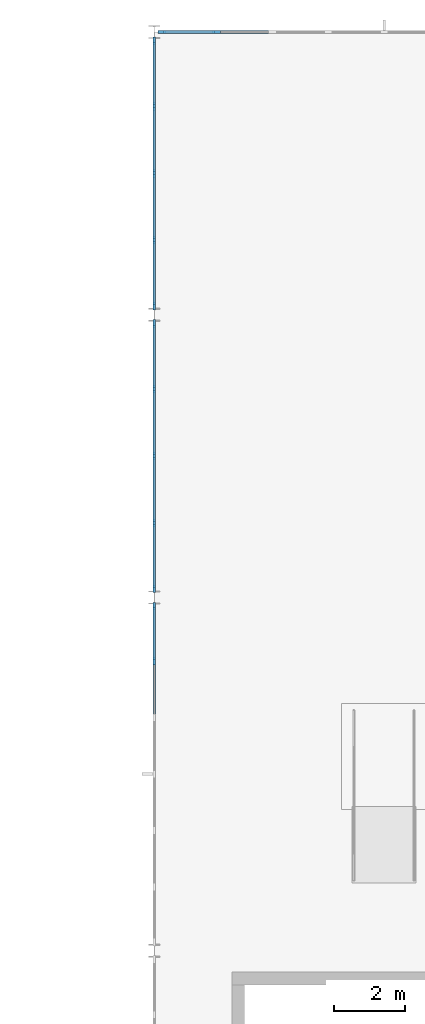
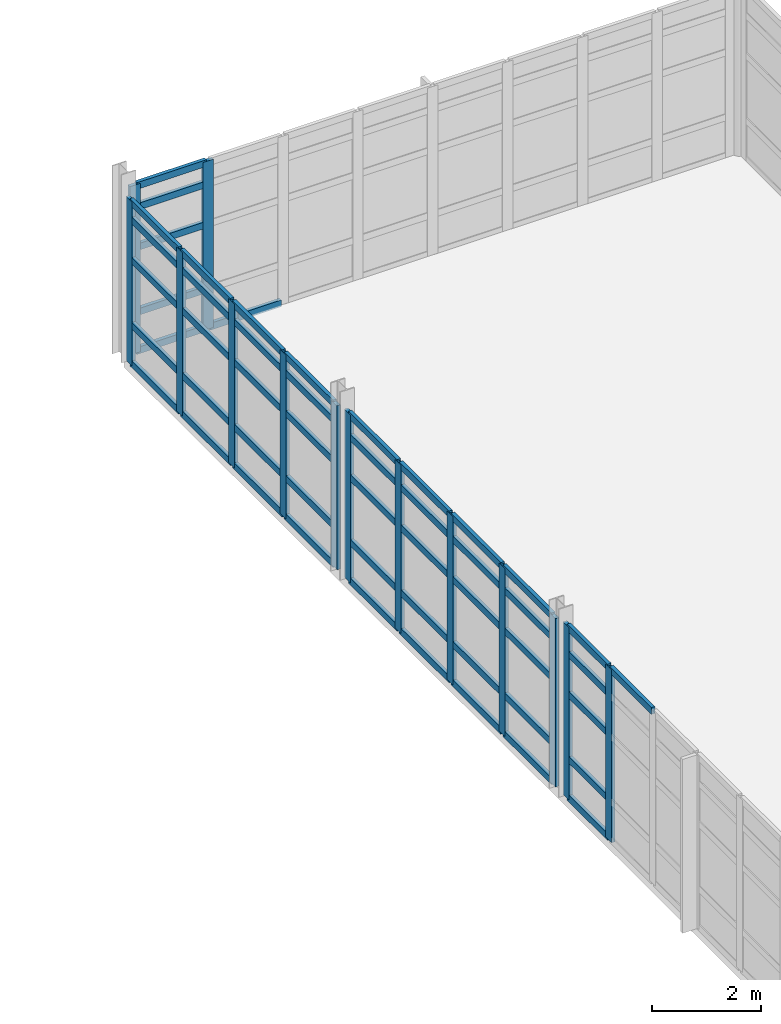
# One storey, part 57 of 122: 66 members, 4 elements without a shape of their own.
"""IFC4 building model written with IfcOpenShell, lengths in metres."""

from ifc_helpers import new_model, si_unit, direction, frame, origin, origin_2d, place, context, subcontext, project, spatial, rectangle, extrude, material, layer, layer_set, material_profile, profile_set, type_object, element, aggregate, save


model = new_model("IFC4")

# Units and contexts
model_context = context("Model", 3, precision=1e-05, world=origin(), true_north=direction((0.0, 1.0)))
body_context = subcontext(model_context, "Body", "Model", "MODEL_VIEW")
ifc_project = project(units=[si_unit("LENGTHUNIT", "METRE"), si_unit("AREAUNIT", "SQUARE_METRE"), si_unit("VOLUMEUNIT", "CUBIC_METRE"), si_unit("PLANEANGLEUNIT", "RADIAN"), si_unit("MASSUNIT", "GRAM", prefix="KILO"), si_unit("THERMODYNAMICTEMPERATUREUNIT", "KELVIN"), si_unit("POWERUNIT", "WATT")], contexts=[model_context])

# Site, building, storey
site_placement = place(None, origin())
site = spatial("IfcSite", under=ifc_project, at=site_placement, CompositionType="ELEMENT")
building_placement = place(site_placement, origin())
building = spatial("IfcBuilding", under=site, at=building_placement, Name="Korenveer Ferry Terminal", CompositionType="ELEMENT")
storey_placement = place(building_placement, frame((0.0, 0.0, 10.199951171875)))
storey = spatial("IfcBuildingStorey", under=building, at=storey_placement, Name="L02", CompositionType="ELEMENT", Elevation=10.199951171875)

# Curtain wall, members
ifc_material_1 = material(Name="Unitised bronze-and-glass curtain wall", Category="glass")
ifc_layer_1 = layer(ifc_material_1, 0.219970703125)
ifc_layer_set_1 = layer_set([ifc_layer_1], Name="Unitised bronze-and-glass curtain wall")
curtain_wall_type_1 = type_object("IfcCurtainWallType", Name="ENV-CW-103", PredefinedType="USERDEFINED", material=ifc_layer_set_1)
curtain_wall_1_placement = place(storey_placement, frame((123.179931640625, 116.0, 0.0)))
curtain_wall_1 = element("IfcCurtainWall", 1, at=curtain_wall_1_placement, inside=storey, type_object=curtain_wall_type_1, Name="Lancet curtain wall CWX-L02-X123-136-Y116-116", ObjectType="UNITISED CURTAIN WALL", PredefinedType="USERDEFINED")
ifc_material_2 = material(Name="Anodised bronze aluminium", Category="aluminium")
ifc_material_profile_1 = material_profile(ifc_material_2, rectangle(XDim=0.074951171875, YDim=0.219970703125, at=origin_2d()), Name="ALU 75x220")
ifc_profile_set_1 = profile_set([ifc_material_profile_1], Name="Anodised bronze aluminium")
member_type_1 = type_object("IfcMemberType", Name="ENV-CWM-75X220", PredefinedType="MULLION", material=ifc_profile_set_1)
member_1_placement = place(storey_placement, frame((123.217529296875, 116.0, 0.0), z_axis=(0.0, 0.0, 1.0), x_axis=(0.0, 1.0, 0.0)))
member_1 = element("IfcMember", 2, at=member_1_placement, type_object=member_type_1, Name="CW-103 mullion 1", PredefinedType="MULLION", context=body_context, shape_type="SweptSolid", body=[
    extrude(rectangle(XDim=0.074951171875, YDim=0.219970703125, at=origin_2d()), origin(), (0.0, 0.0, 1.0), 3.760009765625),
])
member_2_placement = place(storey_placement, frame((124.76171875, 116.0, 0.0), z_axis=(0.0, 0.0, 1.0), x_axis=(0.0, 1.0, 0.0)))
member_2 = element("IfcMember", 3, at=member_2_placement, type_object=member_type_1, Name="CW-103 mullion 2", PredefinedType="MULLION", context=body_context, shape_type="SweptSolid", body=[
    extrude(rectangle(XDim=0.074951171875, YDim=0.219970703125, at=origin_2d()), origin(), (0.0, 0.0, 1.0), 3.760009765625),
])

ifc_layer_2 = layer(ifc_material_1, 0.219970703125)
ifc_layer_set_2 = layer_set([ifc_layer_2], Name="Unitised bronze-and-glass curtain wall")
curtain_wall_type_2 = type_object("IfcCurtainWallType", Name="ENV-CW-120", PredefinedType="USERDEFINED", material=ifc_layer_set_2)
curtain_wall_2_placement = place(storey_placement, frame((123.0, 90.2099609375, 0.0)))
curtain_wall_2 = element("IfcCurtainWall", 4, at=curtain_wall_2_placement, inside=storey, type_object=curtain_wall_type_2, Name="Lancet curtain wall CWX-L02-X123-123-Y90-100", ObjectType="UNITISED CURTAIN WALL", PredefinedType="USERDEFINED")
member_3_placement = place(storey_placement, frame((123.0, 98.193359375, 0.0), z_axis=(0.0, 0.0, 1.0), x_axis=(-1.0, 0.0, 0.0)))
member_3 = element("IfcMember", 5, at=member_3_placement, type_object=member_type_1, Name="CW-120 mullion 6", PredefinedType="MULLION", context=body_context, shape_type="SweptSolid", body=[
    extrude(rectangle(XDim=0.074951171875, YDim=0.219970703125, at=origin_2d()), origin(), (0.0, 0.0, 1.0), 3.860107421875),
])
member_4_placement = place(storey_placement, frame((123.0, 99.75244140625, 0.0), z_axis=(0.0, 0.0, 1.0), x_axis=(-1.0, 0.0, 0.0)))
member_4 = element("IfcMember", 6, at=member_4_placement, type_object=member_type_1, Name="CW-120 mullion 7", PredefinedType="MULLION", context=body_context, shape_type="SweptSolid", body=[
    extrude(rectangle(XDim=0.074951171875, YDim=0.219970703125, at=origin_2d()), origin(), (0.0, 0.0, 1.0), 3.860107421875),
])

ifc_layer_3 = layer(ifc_material_1, 0.219970703125)
ifc_layer_set_3 = layer_set([ifc_layer_3], Name="Unitised bronze-and-glass curtain wall")
curtain_wall_type_3 = type_object("IfcCurtainWallType", Name="ENV-CW-119", PredefinedType="USERDEFINED", material=ifc_layer_set_3)
curtain_wall_3_placement = place(storey_placement, frame((123.0, 100.2099609375, 0.0)))
curtain_wall_3 = element("IfcCurtainWall", 7, at=curtain_wall_3_placement, inside=storey, type_object=curtain_wall_type_3, Name="Lancet curtain wall CWX-L02-X123-123-Y100-108", ObjectType="UNITISED CURTAIN WALL", PredefinedType="USERDEFINED")
member_5_placement = place(storey_placement, frame((123.0, 100.24755859375, 0.0), z_axis=(0.0, 0.0, 1.0), x_axis=(-1.0, 0.0, 0.0)))
member_5 = element("IfcMember", 8, at=member_5_placement, type_object=member_type_1, Name="CW-119 mullion 1", PredefinedType="MULLION", context=body_context, shape_type="SweptSolid", body=[
    extrude(rectangle(XDim=0.074951171875, YDim=0.219970703125, at=origin_2d()), origin(), (0.0, 0.0, 1.0), 3.760009765625),
])
member_6_placement = place(storey_placement, frame((123.0, 102.10498046875, 0.0), z_axis=(0.0, 0.0, 1.0), x_axis=(-1.0, 0.0, 0.0)))
member_6 = element("IfcMember", 9, at=member_6_placement, type_object=member_type_1, Name="CW-119 mullion 2", PredefinedType="MULLION", context=body_context, shape_type="SweptSolid", body=[
    extrude(rectangle(XDim=0.074951171875, YDim=0.219970703125, at=origin_2d()), origin(), (0.0, 0.0, 1.0), 3.760009765625),
])
member_7_placement = place(storey_placement, frame((123.0, 104.0, 0.0), z_axis=(0.0, 0.0, 1.0), x_axis=(-1.0, 0.0, 0.0)))
member_7 = element("IfcMember", 10, at=member_7_placement, type_object=member_type_1, Name="CW-119 mullion 3", PredefinedType="MULLION", context=body_context, shape_type="SweptSolid", body=[
    extrude(rectangle(XDim=0.074951171875, YDim=0.219970703125, at=origin_2d()), origin(), (0.0, 0.0, 1.0), 3.760009765625),
])
member_8_placement = place(storey_placement, frame((123.0, 105.89501953125, 0.0), z_axis=(0.0, 0.0, 1.0), x_axis=(-1.0, 0.0, 0.0)))
member_8 = element("IfcMember", 11, at=member_8_placement, type_object=member_type_1, Name="CW-119 mullion 4", PredefinedType="MULLION", context=body_context, shape_type="SweptSolid", body=[
    extrude(rectangle(XDim=0.074951171875, YDim=0.219970703125, at=origin_2d()), origin(), (0.0, 0.0, 1.0), 3.760009765625),
])
member_9_placement = place(storey_placement, frame((123.0, 107.75244140625, 0.0), z_axis=(0.0, 0.0, 1.0), x_axis=(-1.0, 0.0, 0.0)))
member_9 = element("IfcMember", 12, at=member_9_placement, type_object=member_type_1, Name="CW-119 mullion 5", PredefinedType="MULLION", context=body_context, shape_type="SweptSolid", body=[
    extrude(rectangle(XDim=0.074951171875, YDim=0.219970703125, at=origin_2d()), origin(), (0.0, 0.0, 1.0), 3.760009765625),
])

ifc_layer_4 = layer(ifc_material_1, 0.219970703125)
ifc_layer_set_4 = layer_set([ifc_layer_4], Name="Unitised bronze-and-glass curtain wall")
curtain_wall_type_4 = type_object("IfcCurtainWallType", Name="ENV-CW-122", PredefinedType="USERDEFINED", material=ifc_layer_set_4)
curtain_wall_4_placement = place(storey_placement, frame((123.0, 108.2099609375, 0.0)))
curtain_wall_4 = element("IfcCurtainWall", 13, at=curtain_wall_4_placement, inside=storey, type_object=curtain_wall_type_4, Name="Lancet curtain wall CWX-L02-X123-123-Y108-116", ObjectType="UNITISED CURTAIN WALL", PredefinedType="USERDEFINED")
member_10_placement = place(storey_placement, frame((123.0, 108.24755859375, 0.0), z_axis=(0.0, 0.0, 1.0), x_axis=(-1.0, 0.0, 0.0)))
member_10 = element("IfcMember", 14, at=member_10_placement, type_object=member_type_1, Name="CW-122 mullion 1", PredefinedType="MULLION", context=body_context, shape_type="SweptSolid", body=[
    extrude(rectangle(XDim=0.074951171875, YDim=0.219970703125, at=origin_2d()), origin(), (0.0, 0.0, 1.0), 3.66015625),
])
member_11_placement = place(storey_placement, frame((123.0, 110.10498046875, 0.0), z_axis=(0.0, 0.0, 1.0), x_axis=(-1.0, 0.0, 0.0)))
member_11 = element("IfcMember", 15, at=member_11_placement, type_object=member_type_1, Name="CW-122 mullion 2", PredefinedType="MULLION", context=body_context, shape_type="SweptSolid", body=[
    extrude(rectangle(XDim=0.074951171875, YDim=0.219970703125, at=origin_2d()), origin(), (0.0, 0.0, 1.0), 3.66015625),
])
member_12_placement = place(storey_placement, frame((123.0, 112.0, 0.0), z_axis=(0.0, 0.0, 1.0), x_axis=(-1.0, 0.0, 0.0)))
member_12 = element("IfcMember", 16, at=member_12_placement, type_object=member_type_1, Name="CW-122 mullion 3", PredefinedType="MULLION", context=body_context, shape_type="SweptSolid", body=[
    extrude(rectangle(XDim=0.074951171875, YDim=0.219970703125, at=origin_2d()), origin(), (0.0, 0.0, 1.0), 3.66015625),
])
member_13_placement = place(storey_placement, frame((123.0, 113.89501953125, 0.0), z_axis=(0.0, 0.0, 1.0), x_axis=(-1.0, 0.0, 0.0)))
member_13 = element("IfcMember", 17, at=member_13_placement, type_object=member_type_1, Name="CW-122 mullion 4", PredefinedType="MULLION", context=body_context, shape_type="SweptSolid", body=[
    extrude(rectangle(XDim=0.074951171875, YDim=0.219970703125, at=origin_2d()), origin(), (0.0, 0.0, 1.0), 3.66015625),
])
member_14_placement = place(storey_placement, frame((123.0, 115.75244140625, 0.0), z_axis=(0.0, 0.0, 1.0), x_axis=(-1.0, 0.0, 0.0)))
member_14 = element("IfcMember", 18, at=member_14_placement, type_object=member_type_1, Name="CW-122 mullion 5", PredefinedType="MULLION", context=body_context, shape_type="SweptSolid", body=[
    extrude(rectangle(XDim=0.074951171875, YDim=0.219970703125, at=origin_2d()), origin(), (0.0, 0.0, 1.0), 3.66015625),
])

# Member
ifc_material_profile_2 = material_profile(ifc_material_2, rectangle(XDim=0.074951171875, YDim=0.14990234375, at=origin_2d()), Name="ALU 75x150")
ifc_profile_set_2 = profile_set([ifc_material_profile_2], Name="Anodised bronze aluminium")
member_type_2 = type_object("IfcMemberType", Name="ENV-CWT-75X150", PredefinedType="USERDEFINED", material=ifc_profile_set_2)
member_15_placement = place(storey_placement, frame((123.2548828125, 116.0, 0.03759765625), z_axis=(1.0, 0.0, 0.0), x_axis=(0.0, 1.0, 0.0)))
member_15 = element("IfcMember", 19, at=member_15_placement, type_object=member_type_2, Name="CW-103 transom 1.1", ObjectType="TRANSOM", PredefinedType="USERDEFINED", context=body_context, shape_type="SweptSolid", body=[
    extrude(rectangle(XDim=0.074951171875, YDim=0.14990234375, at=origin_2d()), origin(), (0.0, 0.0, 1.0), 1.46923828125),
])

member_16_placement = place(storey_placement, frame((123.2548828125, 116.0, 0.900146484375), z_axis=(1.0, 0.0, 0.0), x_axis=(0.0, 1.0, 0.0)))
member_16 = element("IfcMember", 20, at=member_16_placement, type_object=member_type_2, Name="CW-103 transom 1.2", ObjectType="TRANSOM", PredefinedType="USERDEFINED", context=body_context, shape_type="SweptSolid", body=[
    extrude(rectangle(XDim=0.074951171875, YDim=0.14990234375, at=origin_2d()), origin(), (0.0, 0.0, 1.0), 1.46923828125),
])

member_17_placement = place(storey_placement, frame((123.2548828125, 116.0, 2.35009765625), z_axis=(1.0, 0.0, 0.0), x_axis=(0.0, 1.0, 0.0)))
member_17 = element("IfcMember", 21, at=member_17_placement, type_object=member_type_2, Name="CW-103 transom 1.3", ObjectType="TRANSOM", PredefinedType="USERDEFINED", context=body_context, shape_type="SweptSolid", body=[
    extrude(rectangle(XDim=0.074951171875, YDim=0.14990234375, at=origin_2d()), origin(), (0.0, 0.0, 1.0), 1.46923828125),
])

member_18_placement = place(storey_placement, frame((123.2548828125, 116.0, 3.25), z_axis=(1.0, 0.0, 0.0), x_axis=(0.0, 1.0, 0.0)))
member_18 = element("IfcMember", 22, at=member_18_placement, type_object=member_type_2, Name="CW-103 transom 1.4", ObjectType="TRANSOM", PredefinedType="USERDEFINED", context=body_context, shape_type="SweptSolid", body=[
    extrude(rectangle(XDim=0.074951171875, YDim=0.14990234375, at=origin_2d()), origin(), (0.0, 0.0, 1.0), 1.46923828125),
])

member_19_placement = place(storey_placement, frame((123.2548828125, 116.0, 3.72265625), z_axis=(1.0, 0.0, 0.0), x_axis=(0.0, 1.0, 0.0)))
member_19 = element("IfcMember", 23, at=member_19_placement, type_object=member_type_2, Name="CW-103 transom 1.5", ObjectType="TRANSOM", PredefinedType="USERDEFINED", context=body_context, shape_type="SweptSolid", body=[
    extrude(rectangle(XDim=0.074951171875, YDim=0.14990234375, at=origin_2d()), origin(), (0.0, 0.0, 1.0), 1.46923828125),
])

member_20_placement = place(storey_placement, frame((124.799072265625, 116.0, 0.03759765625), z_axis=(1.0, 0.0, 0.0), x_axis=(0.0, 1.0, 0.0)))
member_20 = element("IfcMember", 24, at=member_20_placement, type_object=member_type_2, Name="CW-103 transom 2.1", ObjectType="TRANSOM", PredefinedType="USERDEFINED", context=body_context, shape_type="SweptSolid", body=[
    extrude(rectangle(XDim=0.074951171875, YDim=0.14990234375, at=origin_2d()), origin(), (0.0, 0.0, 1.0), 1.5068359375),
])

aggregate(curtain_wall_1, [member_1, member_2, member_15, member_16, member_17, member_18, member_19, member_20])

member_21_placement = place(storey_placement, frame((123.0, 96.63427734375, 3.822509765625), z_axis=(0.0, 1.0, 0.0), x_axis=(-1.0, 0.0, 0.0)))
member_21 = element("IfcMember", 25, at=member_21_placement, type_object=member_type_2, Name="CW-120 transom 5.5", ObjectType="TRANSOM", PredefinedType="USERDEFINED", context=body_context, shape_type="SweptSolid", body=[
    extrude(rectangle(XDim=0.074951171875, YDim=0.14990234375, at=origin_2d()), origin(), (0.0, 0.0, 1.0), 1.521484375),
])

member_22_placement = place(storey_placement, frame((123.0, 98.230712890625, 0.03759765625), z_axis=(0.0, 1.0, 0.0), x_axis=(-1.0, 0.0, 0.0)))
member_22 = element("IfcMember", 26, at=member_22_placement, type_object=member_type_2, Name="CW-120 transom 6.1", ObjectType="TRANSOM", PredefinedType="USERDEFINED", context=body_context, shape_type="SweptSolid", body=[
    extrude(rectangle(XDim=0.074951171875, YDim=0.14990234375, at=origin_2d()), origin(), (0.0, 0.0, 1.0), 1.484375),
])

member_23_placement = place(storey_placement, frame((123.0, 98.230712890625, 0.900146484375), z_axis=(0.0, 1.0, 0.0), x_axis=(-1.0, 0.0, 0.0)))
member_23 = element("IfcMember", 27, at=member_23_placement, type_object=member_type_2, Name="CW-120 transom 6.2", ObjectType="TRANSOM", PredefinedType="USERDEFINED", context=body_context, shape_type="SweptSolid", body=[
    extrude(rectangle(XDim=0.074951171875, YDim=0.14990234375, at=origin_2d()), origin(), (0.0, 0.0, 1.0), 1.484375),
])

member_24_placement = place(storey_placement, frame((123.0, 98.230712890625, 2.35009765625), z_axis=(0.0, 1.0, 0.0), x_axis=(-1.0, 0.0, 0.0)))
member_24 = element("IfcMember", 28, at=member_24_placement, type_object=member_type_2, Name="CW-120 transom 6.3", ObjectType="TRANSOM", PredefinedType="USERDEFINED", context=body_context, shape_type="SweptSolid", body=[
    extrude(rectangle(XDim=0.074951171875, YDim=0.14990234375, at=origin_2d()), origin(), (0.0, 0.0, 1.0), 1.484375),
])

member_25_placement = place(storey_placement, frame((123.0, 98.230712890625, 3.25), z_axis=(0.0, 1.0, 0.0), x_axis=(-1.0, 0.0, 0.0)))
member_25 = element("IfcMember", 29, at=member_25_placement, type_object=member_type_2, Name="CW-120 transom 6.4", ObjectType="TRANSOM", PredefinedType="USERDEFINED", context=body_context, shape_type="SweptSolid", body=[
    extrude(rectangle(XDim=0.074951171875, YDim=0.14990234375, at=origin_2d()), origin(), (0.0, 0.0, 1.0), 1.484375),
])

member_26_placement = place(storey_placement, frame((123.0, 98.230712890625, 3.822509765625), z_axis=(0.0, 1.0, 0.0), x_axis=(-1.0, 0.0, 0.0)))
member_26 = element("IfcMember", 30, at=member_26_placement, type_object=member_type_2, Name="CW-120 transom 6.5", ObjectType="TRANSOM", PredefinedType="USERDEFINED", context=body_context, shape_type="SweptSolid", body=[
    extrude(rectangle(XDim=0.074951171875, YDim=0.14990234375, at=origin_2d()), origin(), (0.0, 0.0, 1.0), 1.484375),
])

aggregate(curtain_wall_2, [member_3, member_4, member_21, member_22, member_23, member_24, member_25, member_26])

member_27_placement = place(storey_placement, frame((123.0, 100.284912109375, 0.03759765625), z_axis=(0.0, 1.0, 0.0), x_axis=(-1.0, 0.0, 0.0)))
member_27 = element("IfcMember", 31, at=member_27_placement, type_object=member_type_2, Name="CW-119 transom 1.1", ObjectType="TRANSOM", PredefinedType="USERDEFINED", context=body_context, shape_type="SweptSolid", body=[
    extrude(rectangle(XDim=0.074951171875, YDim=0.14990234375, at=origin_2d()), origin(), (0.0, 0.0, 1.0), 1.782470703125),
])

member_28_placement = place(storey_placement, frame((123.0, 100.284912109375, 0.900146484375), z_axis=(0.0, 1.0, 0.0), x_axis=(-1.0, 0.0, 0.0)))
member_28 = element("IfcMember", 32, at=member_28_placement, type_object=member_type_2, Name="CW-119 transom 1.2", ObjectType="TRANSOM", PredefinedType="USERDEFINED", context=body_context, shape_type="SweptSolid", body=[
    extrude(rectangle(XDim=0.074951171875, YDim=0.14990234375, at=origin_2d()), origin(), (0.0, 0.0, 1.0), 1.782470703125),
])

member_29_placement = place(storey_placement, frame((123.0, 100.284912109375, 2.35009765625), z_axis=(0.0, 1.0, 0.0), x_axis=(-1.0, 0.0, 0.0)))
member_29 = element("IfcMember", 33, at=member_29_placement, type_object=member_type_2, Name="CW-119 transom 1.3", ObjectType="TRANSOM", PredefinedType="USERDEFINED", context=body_context, shape_type="SweptSolid", body=[
    extrude(rectangle(XDim=0.074951171875, YDim=0.14990234375, at=origin_2d()), origin(), (0.0, 0.0, 1.0), 1.782470703125),
])

member_30_placement = place(storey_placement, frame((123.0, 100.284912109375, 3.25), z_axis=(0.0, 1.0, 0.0), x_axis=(-1.0, 0.0, 0.0)))
member_30 = element("IfcMember", 34, at=member_30_placement, type_object=member_type_2, Name="CW-119 transom 1.4", ObjectType="TRANSOM", PredefinedType="USERDEFINED", context=body_context, shape_type="SweptSolid", body=[
    extrude(rectangle(XDim=0.074951171875, YDim=0.14990234375, at=origin_2d()), origin(), (0.0, 0.0, 1.0), 1.782470703125),
])

member_31_placement = place(storey_placement, frame((123.0, 100.284912109375, 3.72265625), z_axis=(0.0, 1.0, 0.0), x_axis=(-1.0, 0.0, 0.0)))
member_31 = element("IfcMember", 35, at=member_31_placement, type_object=member_type_2, Name="CW-119 transom 1.5", ObjectType="TRANSOM", PredefinedType="USERDEFINED", context=body_context, shape_type="SweptSolid", body=[
    extrude(rectangle(XDim=0.074951171875, YDim=0.14990234375, at=origin_2d()), origin(), (0.0, 0.0, 1.0), 1.782470703125),
])

member_32_placement = place(storey_placement, frame((123.0, 102.142578125, 0.03759765625), z_axis=(0.0, 1.0, 0.0), x_axis=(-1.0, 0.0, 0.0)))
member_32 = element("IfcMember", 36, at=member_32_placement, type_object=member_type_2, Name="CW-119 transom 2.1", ObjectType="TRANSOM", PredefinedType="USERDEFINED", context=body_context, shape_type="SweptSolid", body=[
    extrude(rectangle(XDim=0.074951171875, YDim=0.14990234375, at=origin_2d()), origin(), (0.0, 0.0, 1.0), 1.81982421875),
])

member_33_placement = place(storey_placement, frame((123.0, 102.142578125, 0.900146484375), z_axis=(0.0, 1.0, 0.0), x_axis=(-1.0, 0.0, 0.0)))
member_33 = element("IfcMember", 37, at=member_33_placement, type_object=member_type_2, Name="CW-119 transom 2.2", ObjectType="TRANSOM", PredefinedType="USERDEFINED", context=body_context, shape_type="SweptSolid", body=[
    extrude(rectangle(XDim=0.074951171875, YDim=0.14990234375, at=origin_2d()), origin(), (0.0, 0.0, 1.0), 1.81982421875),
])

member_34_placement = place(storey_placement, frame((123.0, 102.142578125, 2.35009765625), z_axis=(0.0, 1.0, 0.0), x_axis=(-1.0, 0.0, 0.0)))
member_34 = element("IfcMember", 38, at=member_34_placement, type_object=member_type_2, Name="CW-119 transom 2.3", ObjectType="TRANSOM", PredefinedType="USERDEFINED", context=body_context, shape_type="SweptSolid", body=[
    extrude(rectangle(XDim=0.074951171875, YDim=0.14990234375, at=origin_2d()), origin(), (0.0, 0.0, 1.0), 1.81982421875),
])

member_35_placement = place(storey_placement, frame((123.0, 102.142578125, 3.25), z_axis=(0.0, 1.0, 0.0), x_axis=(-1.0, 0.0, 0.0)))
member_35 = element("IfcMember", 39, at=member_35_placement, type_object=member_type_2, Name="CW-119 transom 2.4", ObjectType="TRANSOM", PredefinedType="USERDEFINED", context=body_context, shape_type="SweptSolid", body=[
    extrude(rectangle(XDim=0.074951171875, YDim=0.14990234375, at=origin_2d()), origin(), (0.0, 0.0, 1.0), 1.81982421875),
])

member_36_placement = place(storey_placement, frame((123.0, 102.142578125, 3.72265625), z_axis=(0.0, 1.0, 0.0), x_axis=(-1.0, 0.0, 0.0)))
member_36 = element("IfcMember", 40, at=member_36_placement, type_object=member_type_2, Name="CW-119 transom 2.5", ObjectType="TRANSOM", PredefinedType="USERDEFINED", context=body_context, shape_type="SweptSolid", body=[
    extrude(rectangle(XDim=0.074951171875, YDim=0.14990234375, at=origin_2d()), origin(), (0.0, 0.0, 1.0), 1.81982421875),
])

member_37_placement = place(storey_placement, frame((123.0, 104.03759765625, 0.03759765625), z_axis=(0.0, 1.0, 0.0), x_axis=(-1.0, 0.0, 0.0)))
member_37 = element("IfcMember", 41, at=member_37_placement, type_object=member_type_2, Name="CW-119 transom 3.1", ObjectType="TRANSOM", PredefinedType="USERDEFINED", context=body_context, shape_type="SweptSolid", body=[
    extrude(rectangle(XDim=0.074951171875, YDim=0.14990234375, at=origin_2d()), origin(), (0.0, 0.0, 1.0), 1.81982421875),
])

member_38_placement = place(storey_placement, frame((123.0, 104.03759765625, 0.900146484375), z_axis=(0.0, 1.0, 0.0), x_axis=(-1.0, 0.0, 0.0)))
member_38 = element("IfcMember", 42, at=member_38_placement, type_object=member_type_2, Name="CW-119 transom 3.2", ObjectType="TRANSOM", PredefinedType="USERDEFINED", context=body_context, shape_type="SweptSolid", body=[
    extrude(rectangle(XDim=0.074951171875, YDim=0.14990234375, at=origin_2d()), origin(), (0.0, 0.0, 1.0), 1.81982421875),
])

member_39_placement = place(storey_placement, frame((123.0, 104.03759765625, 2.35009765625), z_axis=(0.0, 1.0, 0.0), x_axis=(-1.0, 0.0, 0.0)))
member_39 = element("IfcMember", 43, at=member_39_placement, type_object=member_type_2, Name="CW-119 transom 3.3", ObjectType="TRANSOM", PredefinedType="USERDEFINED", context=body_context, shape_type="SweptSolid", body=[
    extrude(rectangle(XDim=0.074951171875, YDim=0.14990234375, at=origin_2d()), origin(), (0.0, 0.0, 1.0), 1.81982421875),
])

member_40_placement = place(storey_placement, frame((123.0, 104.03759765625, 3.25), z_axis=(0.0, 1.0, 0.0), x_axis=(-1.0, 0.0, 0.0)))
member_40 = element("IfcMember", 44, at=member_40_placement, type_object=member_type_2, Name="CW-119 transom 3.4", ObjectType="TRANSOM", PredefinedType="USERDEFINED", context=body_context, shape_type="SweptSolid", body=[
    extrude(rectangle(XDim=0.074951171875, YDim=0.14990234375, at=origin_2d()), origin(), (0.0, 0.0, 1.0), 1.81982421875),
])

member_41_placement = place(storey_placement, frame((123.0, 104.03759765625, 3.72265625), z_axis=(0.0, 1.0, 0.0), x_axis=(-1.0, 0.0, 0.0)))
member_41 = element("IfcMember", 45, at=member_41_placement, type_object=member_type_2, Name="CW-119 transom 3.5", ObjectType="TRANSOM", PredefinedType="USERDEFINED", context=body_context, shape_type="SweptSolid", body=[
    extrude(rectangle(XDim=0.074951171875, YDim=0.14990234375, at=origin_2d()), origin(), (0.0, 0.0, 1.0), 1.81982421875),
])

member_42_placement = place(storey_placement, frame((123.0, 105.9326171875, 0.03759765625), z_axis=(0.0, 1.0, 0.0), x_axis=(-1.0, 0.0, 0.0)))
member_42 = element("IfcMember", 46, at=member_42_placement, type_object=member_type_2, Name="CW-119 transom 4.1", ObjectType="TRANSOM", PredefinedType="USERDEFINED", context=body_context, shape_type="SweptSolid", body=[
    extrude(rectangle(XDim=0.074951171875, YDim=0.14990234375, at=origin_2d()), origin(), (0.0, 0.0, 1.0), 1.782470703125),
])

member_43_placement = place(storey_placement, frame((123.0, 105.9326171875, 0.900146484375), z_axis=(0.0, 1.0, 0.0), x_axis=(-1.0, 0.0, 0.0)))
member_43 = element("IfcMember", 47, at=member_43_placement, type_object=member_type_2, Name="CW-119 transom 4.2", ObjectType="TRANSOM", PredefinedType="USERDEFINED", context=body_context, shape_type="SweptSolid", body=[
    extrude(rectangle(XDim=0.074951171875, YDim=0.14990234375, at=origin_2d()), origin(), (0.0, 0.0, 1.0), 1.782470703125),
])

member_44_placement = place(storey_placement, frame((123.0, 105.9326171875, 2.35009765625), z_axis=(0.0, 1.0, 0.0), x_axis=(-1.0, 0.0, 0.0)))
member_44 = element("IfcMember", 48, at=member_44_placement, type_object=member_type_2, Name="CW-119 transom 4.3", ObjectType="TRANSOM", PredefinedType="USERDEFINED", context=body_context, shape_type="SweptSolid", body=[
    extrude(rectangle(XDim=0.074951171875, YDim=0.14990234375, at=origin_2d()), origin(), (0.0, 0.0, 1.0), 1.782470703125),
])

member_45_placement = place(storey_placement, frame((123.0, 105.9326171875, 3.25), z_axis=(0.0, 1.0, 0.0), x_axis=(-1.0, 0.0, 0.0)))
member_45 = element("IfcMember", 49, at=member_45_placement, type_object=member_type_2, Name="CW-119 transom 4.4", ObjectType="TRANSOM", PredefinedType="USERDEFINED", context=body_context, shape_type="SweptSolid", body=[
    extrude(rectangle(XDim=0.074951171875, YDim=0.14990234375, at=origin_2d()), origin(), (0.0, 0.0, 1.0), 1.782470703125),
])

member_46_placement = place(storey_placement, frame((123.0, 105.9326171875, 3.72265625), z_axis=(0.0, 1.0, 0.0), x_axis=(-1.0, 0.0, 0.0)))
member_46 = element("IfcMember", 50, at=member_46_placement, type_object=member_type_2, Name="CW-119 transom 4.5", ObjectType="TRANSOM", PredefinedType="USERDEFINED", context=body_context, shape_type="SweptSolid", body=[
    extrude(rectangle(XDim=0.074951171875, YDim=0.14990234375, at=origin_2d()), origin(), (0.0, 0.0, 1.0), 1.782470703125),
])

aggregate(curtain_wall_3, [member_5, member_6, member_7, member_8, member_9, member_27, member_28, member_29, member_30, member_31, member_32, member_33, member_34, member_35, member_36, member_37, member_38, member_39, member_40, member_41, member_42, member_43, member_44, member_45, member_46])

member_47_placement = place(storey_placement, frame((123.0, 108.284912109375, 0.03759765625), z_axis=(0.0, 1.0, 0.0), x_axis=(-1.0, 0.0, 0.0)))
member_47 = element("IfcMember", 51, at=member_47_placement, type_object=member_type_2, Name="CW-122 transom 1.1", ObjectType="TRANSOM", PredefinedType="USERDEFINED", context=body_context, shape_type="SweptSolid", body=[
    extrude(rectangle(XDim=0.074951171875, YDim=0.14990234375, at=origin_2d()), origin(), (0.0, 0.0, 1.0), 1.782470703125),
])

member_48_placement = place(storey_placement, frame((123.0, 108.284912109375, 0.900146484375), z_axis=(0.0, 1.0, 0.0), x_axis=(-1.0, 0.0, 0.0)))
member_48 = element("IfcMember", 52, at=member_48_placement, type_object=member_type_2, Name="CW-122 transom 1.2", ObjectType="TRANSOM", PredefinedType="USERDEFINED", context=body_context, shape_type="SweptSolid", body=[
    extrude(rectangle(XDim=0.074951171875, YDim=0.14990234375, at=origin_2d()), origin(), (0.0, 0.0, 1.0), 1.782470703125),
])

member_49_placement = place(storey_placement, frame((123.0, 108.284912109375, 2.35009765625), z_axis=(0.0, 1.0, 0.0), x_axis=(-1.0, 0.0, 0.0)))
member_49 = element("IfcMember", 53, at=member_49_placement, type_object=member_type_2, Name="CW-122 transom 1.3", ObjectType="TRANSOM", PredefinedType="USERDEFINED", context=body_context, shape_type="SweptSolid", body=[
    extrude(rectangle(XDim=0.074951171875, YDim=0.14990234375, at=origin_2d()), origin(), (0.0, 0.0, 1.0), 1.782470703125),
])

member_50_placement = place(storey_placement, frame((123.0, 108.284912109375, 3.25), z_axis=(0.0, 1.0, 0.0), x_axis=(-1.0, 0.0, 0.0)))
member_50 = element("IfcMember", 54, at=member_50_placement, type_object=member_type_2, Name="CW-122 transom 1.4", ObjectType="TRANSOM", PredefinedType="USERDEFINED", context=body_context, shape_type="SweptSolid", body=[
    extrude(rectangle(XDim=0.074951171875, YDim=0.14990234375, at=origin_2d()), origin(), (0.0, 0.0, 1.0), 1.782470703125),
])

member_51_placement = place(storey_placement, frame((123.0, 108.284912109375, 3.62255859375), z_axis=(0.0, 1.0, 0.0), x_axis=(-1.0, 0.0, 0.0)))
member_51 = element("IfcMember", 55, at=member_51_placement, type_object=member_type_2, Name="CW-122 transom 1.5", ObjectType="TRANSOM", PredefinedType="USERDEFINED", context=body_context, shape_type="SweptSolid", body=[
    extrude(rectangle(XDim=0.074951171875, YDim=0.14990234375, at=origin_2d()), origin(), (0.0, 0.0, 1.0), 1.782470703125),
])

member_52_placement = place(storey_placement, frame((123.0, 110.142578125, 0.03759765625), z_axis=(0.0, 1.0, 0.0), x_axis=(-1.0, 0.0, 0.0)))
member_52 = element("IfcMember", 56, at=member_52_placement, type_object=member_type_2, Name="CW-122 transom 2.1", ObjectType="TRANSOM", PredefinedType="USERDEFINED", context=body_context, shape_type="SweptSolid", body=[
    extrude(rectangle(XDim=0.074951171875, YDim=0.14990234375, at=origin_2d()), origin(), (0.0, 0.0, 1.0), 1.81982421875),
])

member_53_placement = place(storey_placement, frame((123.0, 110.142578125, 0.900146484375), z_axis=(0.0, 1.0, 0.0), x_axis=(-1.0, 0.0, 0.0)))
member_53 = element("IfcMember", 57, at=member_53_placement, type_object=member_type_2, Name="CW-122 transom 2.2", ObjectType="TRANSOM", PredefinedType="USERDEFINED", context=body_context, shape_type="SweptSolid", body=[
    extrude(rectangle(XDim=0.074951171875, YDim=0.14990234375, at=origin_2d()), origin(), (0.0, 0.0, 1.0), 1.81982421875),
])

member_54_placement = place(storey_placement, frame((123.0, 110.142578125, 2.35009765625), z_axis=(0.0, 1.0, 0.0), x_axis=(-1.0, 0.0, 0.0)))
member_54 = element("IfcMember", 58, at=member_54_placement, type_object=member_type_2, Name="CW-122 transom 2.3", ObjectType="TRANSOM", PredefinedType="USERDEFINED", context=body_context, shape_type="SweptSolid", body=[
    extrude(rectangle(XDim=0.074951171875, YDim=0.14990234375, at=origin_2d()), origin(), (0.0, 0.0, 1.0), 1.81982421875),
])

member_55_placement = place(storey_placement, frame((123.0, 110.142578125, 3.25), z_axis=(0.0, 1.0, 0.0), x_axis=(-1.0, 0.0, 0.0)))
member_55 = element("IfcMember", 59, at=member_55_placement, type_object=member_type_2, Name="CW-122 transom 2.4", ObjectType="TRANSOM", PredefinedType="USERDEFINED", context=body_context, shape_type="SweptSolid", body=[
    extrude(rectangle(XDim=0.074951171875, YDim=0.14990234375, at=origin_2d()), origin(), (0.0, 0.0, 1.0), 1.81982421875),
])

member_56_placement = place(storey_placement, frame((123.0, 110.142578125, 3.62255859375), z_axis=(0.0, 1.0, 0.0), x_axis=(-1.0, 0.0, 0.0)))
member_56 = element("IfcMember", 60, at=member_56_placement, type_object=member_type_2, Name="CW-122 transom 2.5", ObjectType="TRANSOM", PredefinedType="USERDEFINED", context=body_context, shape_type="SweptSolid", body=[
    extrude(rectangle(XDim=0.074951171875, YDim=0.14990234375, at=origin_2d()), origin(), (0.0, 0.0, 1.0), 1.81982421875),
])

member_57_placement = place(storey_placement, frame((123.0, 112.03759765625, 0.03759765625), z_axis=(0.0, 1.0, 0.0), x_axis=(-1.0, 0.0, 0.0)))
member_57 = element("IfcMember", 61, at=member_57_placement, type_object=member_type_2, Name="CW-122 transom 3.1", ObjectType="TRANSOM", PredefinedType="USERDEFINED", context=body_context, shape_type="SweptSolid", body=[
    extrude(rectangle(XDim=0.074951171875, YDim=0.14990234375, at=origin_2d()), origin(), (0.0, 0.0, 1.0), 1.81982421875),
])

member_58_placement = place(storey_placement, frame((123.0, 112.03759765625, 0.900146484375), z_axis=(0.0, 1.0, 0.0), x_axis=(-1.0, 0.0, 0.0)))
member_58 = element("IfcMember", 62, at=member_58_placement, type_object=member_type_2, Name="CW-122 transom 3.2", ObjectType="TRANSOM", PredefinedType="USERDEFINED", context=body_context, shape_type="SweptSolid", body=[
    extrude(rectangle(XDim=0.074951171875, YDim=0.14990234375, at=origin_2d()), origin(), (0.0, 0.0, 1.0), 1.81982421875),
])

member_59_placement = place(storey_placement, frame((123.0, 112.03759765625, 2.35009765625), z_axis=(0.0, 1.0, 0.0), x_axis=(-1.0, 0.0, 0.0)))
member_59 = element("IfcMember", 63, at=member_59_placement, type_object=member_type_2, Name="CW-122 transom 3.3", ObjectType="TRANSOM", PredefinedType="USERDEFINED", context=body_context, shape_type="SweptSolid", body=[
    extrude(rectangle(XDim=0.074951171875, YDim=0.14990234375, at=origin_2d()), origin(), (0.0, 0.0, 1.0), 1.81982421875),
])

member_60_placement = place(storey_placement, frame((123.0, 112.03759765625, 3.25), z_axis=(0.0, 1.0, 0.0), x_axis=(-1.0, 0.0, 0.0)))
member_60 = element("IfcMember", 64, at=member_60_placement, type_object=member_type_2, Name="CW-122 transom 3.4", ObjectType="TRANSOM", PredefinedType="USERDEFINED", context=body_context, shape_type="SweptSolid", body=[
    extrude(rectangle(XDim=0.074951171875, YDim=0.14990234375, at=origin_2d()), origin(), (0.0, 0.0, 1.0), 1.81982421875),
])

member_61_placement = place(storey_placement, frame((123.0, 112.03759765625, 3.62255859375), z_axis=(0.0, 1.0, 0.0), x_axis=(-1.0, 0.0, 0.0)))
member_61 = element("IfcMember", 65, at=member_61_placement, type_object=member_type_2, Name="CW-122 transom 3.5", ObjectType="TRANSOM", PredefinedType="USERDEFINED", context=body_context, shape_type="SweptSolid", body=[
    extrude(rectangle(XDim=0.074951171875, YDim=0.14990234375, at=origin_2d()), origin(), (0.0, 0.0, 1.0), 1.81982421875),
])

member_62_placement = place(storey_placement, frame((123.0, 113.9326171875, 0.03759765625), z_axis=(0.0, 1.0, 0.0), x_axis=(-1.0, 0.0, 0.0)))
member_62 = element("IfcMember", 66, at=member_62_placement, type_object=member_type_2, Name="CW-122 transom 4.1", ObjectType="TRANSOM", PredefinedType="USERDEFINED", context=body_context, shape_type="SweptSolid", body=[
    extrude(rectangle(XDim=0.074951171875, YDim=0.14990234375, at=origin_2d()), origin(), (0.0, 0.0, 1.0), 1.782470703125),
])

member_63_placement = place(storey_placement, frame((123.0, 113.9326171875, 0.900146484375), z_axis=(0.0, 1.0, 0.0), x_axis=(-1.0, 0.0, 0.0)))
member_63 = element("IfcMember", 67, at=member_63_placement, type_object=member_type_2, Name="CW-122 transom 4.2", ObjectType="TRANSOM", PredefinedType="USERDEFINED", context=body_context, shape_type="SweptSolid", body=[
    extrude(rectangle(XDim=0.074951171875, YDim=0.14990234375, at=origin_2d()), origin(), (0.0, 0.0, 1.0), 1.782470703125),
])

member_64_placement = place(storey_placement, frame((123.0, 113.9326171875, 2.35009765625), z_axis=(0.0, 1.0, 0.0), x_axis=(-1.0, 0.0, 0.0)))
member_64 = element("IfcMember", 68, at=member_64_placement, type_object=member_type_2, Name="CW-122 transom 4.3", ObjectType="TRANSOM", PredefinedType="USERDEFINED", context=body_context, shape_type="SweptSolid", body=[
    extrude(rectangle(XDim=0.074951171875, YDim=0.14990234375, at=origin_2d()), origin(), (0.0, 0.0, 1.0), 1.782470703125),
])

member_65_placement = place(storey_placement, frame((123.0, 113.9326171875, 3.25), z_axis=(0.0, 1.0, 0.0), x_axis=(-1.0, 0.0, 0.0)))
member_65 = element("IfcMember", 69, at=member_65_placement, type_object=member_type_2, Name="CW-122 transom 4.4", ObjectType="TRANSOM", PredefinedType="USERDEFINED", context=body_context, shape_type="SweptSolid", body=[
    extrude(rectangle(XDim=0.074951171875, YDim=0.14990234375, at=origin_2d()), origin(), (0.0, 0.0, 1.0), 1.782470703125),
])

member_66_placement = place(storey_placement, frame((123.0, 113.9326171875, 3.62255859375), z_axis=(0.0, 1.0, 0.0), x_axis=(-1.0, 0.0, 0.0)))
member_66 = element("IfcMember", 70, at=member_66_placement, type_object=member_type_2, Name="CW-122 transom 4.5", ObjectType="TRANSOM", PredefinedType="USERDEFINED", context=body_context, shape_type="SweptSolid", body=[
    extrude(rectangle(XDim=0.074951171875, YDim=0.14990234375, at=origin_2d()), origin(), (0.0, 0.0, 1.0), 1.782470703125),
])

aggregate(curtain_wall_4, [member_10, member_11, member_12, member_13, member_14, member_47, member_48, member_49, member_50, member_51, member_52, member_53, member_54, member_55, member_56, member_57, member_58, member_59, member_60, member_61, member_62, member_63, member_64, member_65, member_66])

save(model, "model.ifc")
